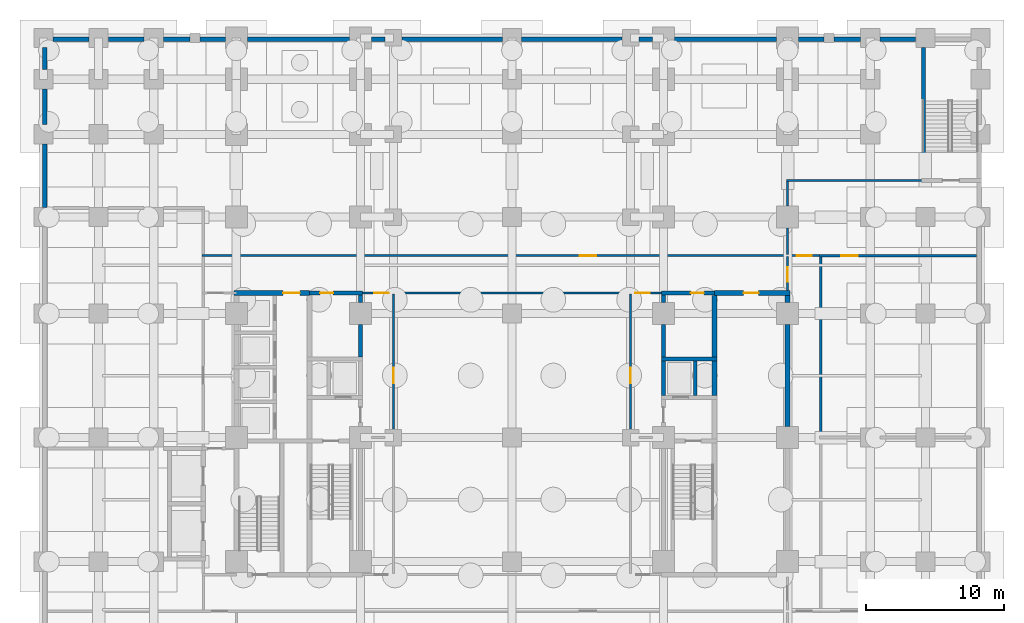
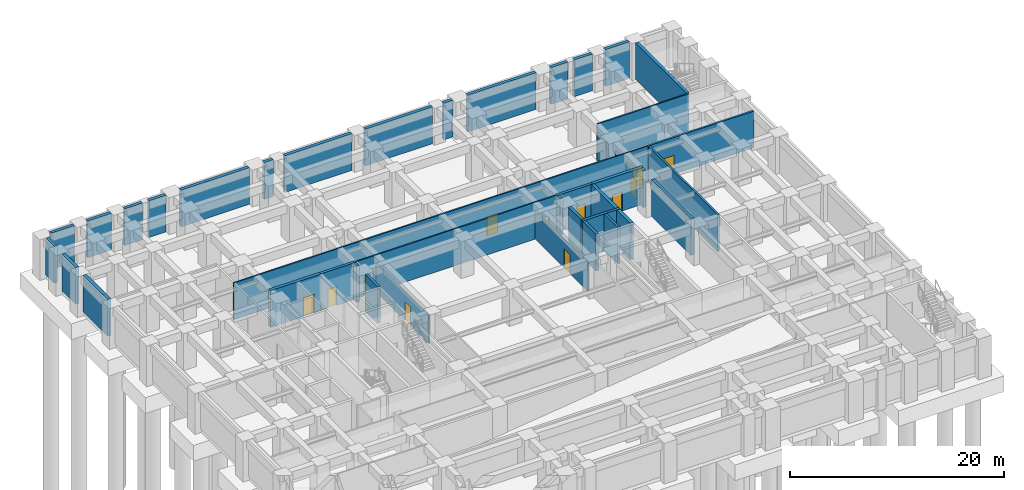
# One storey, part 8 of 16: 42 walls, 12 doors, 12 openings.
"""IFC4 building model written with IfcOpenShell, lengths in metres."""

import ifcopenshell
import ifcopenshell.guid

model = None  # the IFC model being written
_history = None  # IfcOwnerHistory: only IFC2X3 demands one
_inside = {}  # id of a spatial element -> (the spatial element, [elements in it])
_under = {}  # id of a project, library or spatial element -> (it, [spatial elements below it])
_declared = {}  # id of a project -> (the project, [libraries it declares])
_typed = {}  # id of a type object -> (the type object, [elements of that type])
_made_of = {}  # id of a material, layer set ... -> (it, [elements and type objects made of it])


def new_model(schema):
    """Start an empty IFC model of exactly this schema.

    Asked for "IFC4X3", IfcOpenShell would pick the latest addendum, in which some entities
    have other attributes; the version numbers below select the first issue.
    IFC2X3 requires an IfcOwnerHistory on every rooted entity: one is made here for all.
    """
    global model, _history
    if schema == "IFC4X3":
        model = ifcopenshell.file(schema_version=(4, 3, 0, 0))
    else:
        model = ifcopenshell.file(schema=schema)
    _inside.clear()
    _under.clear()
    _declared.clear()
    _typed.clear()
    _made_of.clear()
    _history = None
    if model.schema == "IFC2X3":
        org = make("IfcOrganization", Name="unknown")
        user = make(
            "IfcPersonAndOrganization",
            ThePerson=make("IfcPerson", FamilyName="unknown"),
            TheOrganization=org,
        )
        app = make(
            "IfcApplication",
            ApplicationDeveloper=org,
            Version="unknown",
            ApplicationFullName="unknown",
            ApplicationIdentifier="unknown",
        )
        _history = make(
            "IfcOwnerHistory",
            OwningUser=user,
            OwningApplication=app,
            ChangeAction="ADDED",
            CreationDate=0,
        )
    return model


def make(cls, **values):
    """One entity of the class cls with the attributes given. An attribute that is None is left unset."""
    return model.create_entity(
        cls, **{name: value for name, value in values.items() if value is not None}
    )


def rooted(cls, **values):
    """An entity with a GlobalId (a new one), such as an element, a storey or a relation."""
    return make(cls, GlobalId=ifcopenshell.guid.new(), OwnerHistory=_history, **values)


def si_unit(unit_type, name, prefix=None):
    """IfcSIUnit, for example si_unit("LENGTHUNIT", "METRE", prefix="MILLI")."""
    return make("IfcSIUnit", UnitType=unit_type, Prefix=prefix, Name=name)


def assignment(units):
    """IfcUnitAssignment: the units of a project."""
    return None if units is None else make("IfcUnitAssignment", Units=units)


def point(xyz):
    """IfcCartesianPoint."""
    return None if xyz is None else make("IfcCartesianPoint", Coordinates=xyz)


def direction(xyz):
    """IfcDirection."""
    return None if xyz is None else make("IfcDirection", DirectionRatios=xyz)


def frame(location, z_axis=None, x_axis=None):
    """IfcAxis2Placement3D, a coordinate frame: its origin and axes. An axis left out is left unset."""
    return make(
        "IfcAxis2Placement3D",
        Location=point(location),
        Axis=direction(z_axis),
        RefDirection=direction(x_axis),
    )


def frame_2d(location, x_axis=None):
    """IfcAxis2Placement2D, a coordinate frame in the plane: its origin and x axis."""
    return make(
        "IfcAxis2Placement2D", Location=point(location), RefDirection=direction(x_axis)
    )


def origin():
    """The frame at (0, 0, 0) with its axes left unset."""
    return frame((0.0, 0.0, 0.0))


def place(relative_to, where):
    """IfcLocalPlacement: puts the frame where relative to a parent placement (None: the world)."""
    return make(
        "IfcLocalPlacement", PlacementRelTo=relative_to, RelativePlacement=where
    )


def context(
    kind, dimensions, precision=None, world=None, true_north=None, identifier=None
):
    """IfcGeometricRepresentationContext, for example the 3D "Model" context."""
    return make(
        "IfcGeometricRepresentationContext",
        ContextIdentifier=identifier,
        ContextType=kind,
        CoordinateSpaceDimension=dimensions,
        Precision=precision,
        WorldCoordinateSystem=world,
        TrueNorth=true_north,
    )


def subcontext(parent, identifier, kind, view, scale=None):
    """IfcGeometricRepresentationSubContext, for example "Body" below "Model"."""
    return make(
        "IfcGeometricRepresentationSubContext",
        ContextIdentifier=identifier,
        ContextType=kind,
        ParentContext=parent,
        TargetScale=scale,
        TargetView=view,
    )


def project(units=None, contexts=None):
    """IfcProject with its units and contexts."""
    return rooted(
        "IfcProject",
        Name="project",
        RepresentationContexts=contexts,
        UnitsInContext=assignment(units),
    )


def spatial(cls, under=None, at=None, **own):
    """A site, building, storey or space (cls), placed at a placement, below another one or the project."""
    s = rooted(cls, ObjectPlacement=at, **own)
    if under is not None:
        _under.setdefault(under.id(), (under, []))[1].append(s)
    return s


def profile(cls, at=None, kind="AREA", **sizes):
    """A parametric profile (cls). Its sizes go by their IFC names, for example OverallWidth=200.0."""
    return make(cls, ProfileType=kind, Position=at, **sizes)


def rectangle(**sizes):
    """IfcRectangleProfileDef."""
    return profile("IfcRectangleProfileDef", **sizes)


def extrude(swept, where, along, depth):
    """IfcExtrudedAreaSolid: the profile swept, set in the frame where, extruded along a direction by depth."""
    return make(
        "IfcExtrudedAreaSolid",
        SweptArea=swept,
        Position=where,
        ExtrudedDirection=direction(along),
        Depth=depth,
    )


def shape(context_of_items, identifier, shape_type, items):
    """IfcShapeRepresentation: the items that make up one representation, for example the "Body"."""
    return make(
        "IfcShapeRepresentation",
        ContextOfItems=context_of_items,
        RepresentationIdentifier=identifier,
        RepresentationType=shape_type,
        Items=items,
    )


def material(Name=None, Category=None):
    """IfcMaterial."""
    return make("IfcMaterial", Name=Name, Category=Category)


def layer(
    of_material, thickness, ventilated=None, Name=None, Category=None, Priority=None
):
    """IfcMaterialLayer: one layer of a wall or slab, of a material (None: an air gap)."""
    return make(
        "IfcMaterialLayer",
        Material=of_material,
        LayerThickness=thickness,
        IsVentilated=ventilated,
        Name=Name,
        Category=Category,
        Priority=Priority,
    )


def layer_set(layers, Name=None):
    """IfcMaterialLayerSet."""
    return make("IfcMaterialLayerSet", MaterialLayers=layers, LayerSetName=Name)


def made_of(thing, what):
    """Note that an element or type object is made of a material, layer set ...; save() writes the relation."""
    if what is not None:
        _made_of.setdefault(what.id(), (what, []))[1].append(thing)
    return thing


def type_object(cls, material=None, **own):
    """A type object (cls), such as IfcWallType, which elements share."""
    return made_of(rooted(cls, **own), material)


def element(
    cls,
    number,
    at=None,
    inside=None,
    cuts=None,
    type_object=None,
    material=None,
    context=None,
    identifier="Body",
    shape_type=None,
    held_by="IfcProductDefinitionShape",
    body=None,
    shapes=None,
    **own,
):
    """One element of the class cls, such as IfcWall. Its Tag is "e" and its number.

    at: its placement. inside: the storey or other place that contains it. cuts: it is an
    opening in that element (IfcRelVoidsElement). A single representation is given by context,
    identifier, shape_type and body (its items); several are given by shapes. held_by: the class
    of the entity that holds the representations. save() writes the other relations.
    """
    e = rooted(cls, Tag="e%d" % number, ObjectPlacement=at, **own)
    if body is not None:
        shapes = [shape(context, identifier, shape_type, body)]
    if shapes is not None:
        e.Representation = make(held_by, Representations=shapes)
    if inside is not None:
        _inside.setdefault(inside.id(), (inside, []))[1].append(e)
    if cuts is not None:
        rooted(
            "IfcRelVoidsElement", RelatingBuildingElement=cuts, RelatedOpeningElement=e
        )
    if type_object is not None:
        _typed.setdefault(type_object.id(), (type_object, []))[1].append(e)
    return made_of(e, material)


def fill(opening, filler):
    """IfcRelFillsElement: the door or window that sits in an opening."""
    return rooted(
        "IfcRelFillsElement",
        RelatingOpeningElement=opening,
        RelatedBuildingElement=filler,
    )


def aggregate(whole, parts):
    """IfcRelAggregates: a whole, such as a stair, and the parts it consists of."""
    return rooted("IfcRelAggregates", RelatingObject=whole, RelatedObjects=parts)


def save(model, path):
    """Write the relations noted so far, then the file.

    IfcRelAggregates (storeys below a building ...), IfcRelContainedInSpatialStructure (elements
    in a storey), IfcRelDefinesByType, IfcRelAssociatesMaterial and IfcRelDeclares: one each for
    every whole, place, type object, material and project.
    """
    for whole, parts in _under.values():
        aggregate(whole, parts)
    for where, things in _inside.values():
        rooted(
            "IfcRelContainedInSpatialStructure",
            RelatedElements=things,
            RelatingStructure=where,
        )
    for kind, things in _typed.values():
        rooted("IfcRelDefinesByType", RelatedObjects=things, RelatingType=kind)
    for what, things in _made_of.values():
        rooted("IfcRelAssociatesMaterial", RelatedObjects=things, RelatingMaterial=what)
    for by, libraries in _declared.values():
        rooted("IfcRelDeclares", RelatingContext=by, RelatedDefinitions=libraries)
    model.write(path)


model = new_model("IFC4")

# Units and contexts
model_context = context("Model", 3, precision=1e-05, world=origin(), true_north=direction((0.0, 1.0)))
body_context = subcontext(model_context, "Body", "Model", "MODEL_VIEW")
ifc_project = project(units=[si_unit("LENGTHUNIT", "METRE"), si_unit("AREAUNIT", "SQUARE_METRE"), si_unit("VOLUMEUNIT", "CUBIC_METRE"), si_unit("PLANEANGLEUNIT", "RADIAN"), si_unit("MASSUNIT", "GRAM", prefix="KILO")], contexts=[model_context])

# Site, building, storey
site_placement = place(None, origin())
site = spatial("IfcSite", under=ifc_project, at=site_placement, CompositionType="ELEMENT")
building_placement = place(site_placement, origin())
building = spatial("IfcBuilding", under=site, at=building_placement, Name="Zulmaris Gate Convention Tower", CompositionType="ELEMENT")
storey_placement = place(building_placement, frame((0.0, 0.0, -9.10009765625)))
storey = spatial("IfcBuildingStorey", under=building, at=storey_placement, Name="B2", CompositionType="ELEMENT", Elevation=-9.10009765625)

# Walls
ifc_material_1 = material(Name="Concrete C50/60", Category="concrete")
ifc_layer_1 = layer(ifc_material_1, 0.25, Name="Concrete C50/60")
ifc_layer_set_1 = layer_set([ifc_layer_1], Name="Concrete C50/60")
wall_type_1 = type_object("IfcWallType", Name="CORE-250", PredefinedType="SOLIDWALL", material=ifc_layer_set_1)
wall_1_placement = place(storey_placement, frame((13.300048828125, 3.052001953125, 0.0), z_axis=(0.0, 0.0, 1.0), x_axis=(0.0, 1.0, 0.0)))
element("IfcWall", 1, at=wall_1_placement, inside=storey, type_object=wall_type_1, Name="WL-B2-077", PredefinedType="SOLIDWALL", context=body_context, shape_type="SweptSolid", body=[
    extrude(rectangle(XDim=2.49609375, YDim=0.25, at=frame_2d((1.248046875, 0.0))), origin(), (0.0, 0.0, 1.0), 4.2001953125),
])
ifc_layer_2 = layer(ifc_material_1, 0.300048828125, Name="Concrete C50/60")
ifc_layer_set_2 = layer_set([ifc_layer_2], Name="Concrete C50/60")
wall_type_2 = type_object("IfcWallType", Name="CORE-300", PredefinedType="SHEAR", material=ifc_layer_set_2)
wall_2_placement = place(storey_placement, frame((10.85009765625, 5.699951171875, 0.0), z_axis=(0.0, 0.0, 1.0), x_axis=(1.0, 0.0, 0.0)))
element("IfcWall", 2, at=wall_2_placement, inside=storey, type_object=wall_type_2, Name="WL-B2-020", PredefinedType="SHEAR", context=body_context, shape_type="SweptSolid", body=[
    extrude(rectangle(XDim=4.02490234375, YDim=0.300048828125, at=frame_2d((2.012451171875, 0.0))), origin(), (0.0, 0.0, 1.0), 4.2001953125),
])

# Wall, opening, door
wall_3_placement = place(storey_placement, frame((-14.699951171875, 10.5, 0.0), z_axis=(0.0, 0.0, 1.0), x_axis=(1.0, 0.0, 0.0)))
wall_3 = element("IfcWall", 3, at=wall_3_placement, inside=storey, type_object=wall_type_2, Name="WL-B2-023", PredefinedType="SHEAR", context=body_context, shape_type="SweptSolid", body=[
    extrude(rectangle(XDim=3.849853515625, YDim=0.300048828125, at=frame_2d((1.9248046875, 0.0))), origin(), (0.0, 0.0, 1.0), 4.2001953125),
])
opening_1_placement = place(wall_3_placement, frame((0.77490234375, 0.0, 0.0)))
opening_1 = element("IfcOpeningElement", 4, at=opening_1_placement, cuts=wall_3, Name="Opening D-11", PredefinedType="OPENING", context=body_context, shape_type="SweptSolid", body=[
    extrude(rectangle(XDim=0.949951171875, YDim=2.14990234375, at=frame_2d((0.47509765625, 1.074951171875))), frame((0.0, 0.16015625, 0.0), z_axis=(0.0, -1.0, 0.0), x_axis=(1.0, 0.0, 0.0)), (0.0, 0.0, 1.0), 0.320068359375),
])
ifc_material_2 = material(Name="Fire-Rated Timber", Category="wood")
door_type_1 = type_object("IfcDoorType", Name="DR-950-FD", OperationType="NOTDEFINED", PredefinedType="DOOR", material=ifc_material_2)
door_1_placement = place(opening_1_placement, origin())
door_1 = element("IfcDoor", 5, at=door_1_placement, inside=storey, type_object=door_type_1, Name="B2 Core Pantry Door 07", OperationType="SINGLE_SWING_LEFT", OverallHeight=2.14990234375, OverallWidth=0.949951171875, PredefinedType="DOOR", context=body_context, shape_type="SweptSolid", body=[
    extrude(rectangle(XDim=0.949951171875, YDim=2.14990234375, at=frame_2d((0.47509765625, 1.074951171875))), frame((0.0, 0.02490234375, 0.0), z_axis=(0.0, -1.0, 0.0), x_axis=(1.0, 0.0, 0.0)), (0.0, 0.0, 1.0), 0.050048828125),
])
fill(opening_1, door_1)

wall_4_placement = place(storey_placement, frame((10.85009765625, 10.5, 0.0), z_axis=(0.0, 0.0, 1.0), x_axis=(1.0, 0.0, 0.0)))
wall_4 = element("IfcWall", 6, at=wall_4_placement, inside=storey, type_object=wall_type_2, Name="WL-B2-024", PredefinedType="SHEAR", context=body_context, shape_type="SweptSolid", body=[
    extrude(rectangle(XDim=3.849853515625, YDim=0.300048828125, at=frame_2d((1.9248046875, 0.0))), origin(), (0.0, 0.0, 1.0), 4.2001953125),
])
opening_2_placement = place(wall_4_placement, frame((2.125, 0.0, 0.0)))
opening_2 = element("IfcOpeningElement", 7, at=opening_2_placement, cuts=wall_4, Name="Opening D-11", PredefinedType="OPENING", context=body_context, shape_type="SweptSolid", body=[
    extrude(rectangle(XDim=0.949951171875, YDim=2.14990234375, at=frame_2d((0.47509765625, 1.074951171875))), frame((0.0, 0.16015625, 0.0), z_axis=(0.0, -1.0, 0.0), x_axis=(1.0, 0.0, 0.0)), (0.0, 0.0, 1.0), 0.320068359375),
])
door_2_placement = place(opening_2_placement, origin())
door_2 = element("IfcDoor", 8, at=door_2_placement, inside=storey, type_object=door_type_1, Name="B2 Core Cleaners Store Door 08", OperationType="SINGLE_SWING_RIGHT", OverallHeight=2.14990234375, OverallWidth=0.949951171875, PredefinedType="DOOR", context=body_context, shape_type="SweptSolid", body=[
    extrude(rectangle(XDim=0.949951171875, YDim=2.14990234375, at=frame_2d((0.47509765625, 1.074951171875))), frame((0.0, 0.02490234375, 0.0), z_axis=(0.0, -1.0, 0.0), x_axis=(1.0, 0.0, 0.0)), (0.0, 0.0, 1.0), 0.050048828125),
])
fill(opening_2, door_2)

# Walls
wall_5_placement = place(storey_placement, frame((-11.0, 5.85205078125, 0.0), z_axis=(0.0, 0.0, 1.0), x_axis=(0.0, 1.0, 0.0)))
element("IfcWall", 9, at=wall_5_placement, inside=storey, type_object=wall_type_2, Name="WL-B2-071", PredefinedType="SHEAR", context=body_context, shape_type="SweptSolid", body=[
    extrude(rectangle(XDim=2.343994140625, YDim=0.300048828125, at=frame_2d((1.171875, 0.0))), origin(), (0.0, 0.0, 1.0), 4.2001953125),
])
wall_6_placement = place(storey_placement, frame((-11.0, 9.803955078125, 0.0), z_axis=(0.0, 0.0, 1.0), x_axis=(0.0, 1.0, 0.0)))
element("IfcWall", 10, at=wall_6_placement, inside=storey, type_object=wall_type_2, Name="WL-B2-071S1", PredefinedType="SHEAR", context=body_context, shape_type="SweptSolid", body=[
    extrude(rectangle(XDim=0.5439453125, YDim=0.300048828125, at=frame_2d((0.27197265625, 0.0))), origin(), (0.0, 0.0, 1.0), 4.2001953125),
])
wall_7_placement = place(storey_placement, frame((11.0, 3.052001953125, 0.0), z_axis=(0.0, 0.0, 1.0), x_axis=(0.0, 1.0, 0.0)))
element("IfcWall", 11, at=wall_7_placement, inside=storey, type_object=wall_type_2, Name="WL-B2-074", PredefinedType="SHEAR", context=body_context, shape_type="SweptSolid", body=[
    extrude(rectangle(XDim=2.49609375, YDim=0.300048828125, at=frame_2d((1.248046875, 0.0))), origin(), (0.0, 0.0, 1.0), 4.2001953125),
])
wall_8_placement = place(storey_placement, frame((11.0, 5.85205078125, 0.0), z_axis=(0.0, 0.0, 1.0), x_axis=(0.0, 1.0, 0.0)))
element("IfcWall", 12, at=wall_8_placement, inside=storey, type_object=wall_type_2, Name="WL-B2-075", PredefinedType="SHEAR", context=body_context, shape_type="SweptSolid", body=[
    extrude(rectangle(XDim=2.343994140625, YDim=0.300048828125, at=frame_2d((1.171875, 0.0))), origin(), (0.0, 0.0, 1.0), 4.2001953125),
])
wall_9_placement = place(storey_placement, frame((11.0, 9.803955078125, 0.0), z_axis=(0.0, 0.0, 1.0), x_axis=(0.0, 1.0, 0.0)))
element("IfcWall", 13, at=wall_9_placement, inside=storey, type_object=wall_type_2, Name="WL-B2-075S1", PredefinedType="SHEAR", context=body_context, shape_type="SweptSolid", body=[
    extrude(rectangle(XDim=0.5439453125, YDim=0.300048828125, at=frame_2d((0.27197265625, 0.0))), origin(), (0.0, 0.0, 1.0), 4.2001953125),
])
wall_10_placement = place(storey_placement, frame((29.85009765625, 18.802001953125, 0.0), z_axis=(0.0, 0.0, 1.0), x_axis=(0.0, 1.0, 0.0)))
element("IfcWall", 14, at=wall_10_placement, inside=storey, type_object=wall_type_2, Name="WL-B2-084", PredefinedType="SHEAR", context=body_context, shape_type="SweptSolid", body=[
    extrude(rectangle(XDim=9.493896484375, YDim=0.300048828125, at=frame_2d((4.7470703125, 0.0))), origin(), (0.0, 0.0, 1.0), 4.2001953125),
])

# Wall, opening, door
ifc_material_3 = material(Name="Concrete C55/67", Category="concrete")
ifc_layer_3 = layer(ifc_material_3, 0.35009765625, Name="Concrete C55/67")
ifc_layer_set_3 = layer_set([ifc_layer_3], Name="Concrete C55/67")
wall_type_3 = type_object("IfcWallType", Name="CORE-350", PredefinedType="SHEAR", material=ifc_layer_set_3)
wall_11_placement = place(storey_placement, frame((-20.175048828125, 10.5, 0.0), z_axis=(0.0, 0.0, 1.0), x_axis=(1.0, 0.0, 0.0)))
wall_11 = element("IfcWall", 15, at=wall_11_placement, inside=storey, type_object=wall_type_3, Name="WL-B2-022", PredefinedType="SHEAR", context=body_context, shape_type="SweptSolid", body=[
    extrude(rectangle(XDim=5.47509765625, YDim=0.35009765625, at=frame_2d((2.737548828125, 0.0))), origin(), (0.0, 0.0, 1.0), 4.2001953125),
])
opening_3_placement = place(wall_11_placement, frame((3.574951171875, 0.0, 0.0)))
opening_3 = element("IfcOpeningElement", 16, at=opening_3_placement, cuts=wall_11, Name="Opening D-13", PredefinedType="OPENING", context=body_context, shape_type="SweptSolid", body=[
    extrude(rectangle(XDim=1.199951171875, YDim=2.14990234375, at=frame_2d((0.60009765625, 1.074951171875))), frame((0.0, 0.18505859375, 0.0), z_axis=(0.0, -1.0, 0.0), x_axis=(1.0, 0.0, 0.0)), (0.0, 0.0, 1.0), 0.3701171875),
])
ifc_material_4 = material(Name="Fire-Rated Steel", Category="steel")
door_type_2 = type_object("IfcDoorType", Name="DR-1200-FD", OperationType="NOTDEFINED", PredefinedType="DOOR", material=ifc_material_4)
door_3_placement = place(opening_3_placement, origin())
door_3 = element("IfcDoor", 17, at=door_3_placement, inside=storey, type_object=door_type_2, Name="B2 Low-Rise Lift Lobby Door 10", OperationType="SINGLE_SWING_RIGHT", OverallHeight=2.14990234375, OverallWidth=1.199951171875, PredefinedType="DOOR", context=body_context, shape_type="SweptSolid", body=[
    extrude(rectangle(XDim=1.199951171875, YDim=2.14990234375, at=frame_2d((0.60009765625, 1.074951171875))), frame((0.0, 0.02490234375, 0.0), z_axis=(0.0, -1.0, 0.0), x_axis=(1.0, 0.0, 0.0)), (0.0, 0.0, 1.0), 0.050048828125),
])
fill(opening_3, door_3)

wall_12_placement = place(storey_placement, frame((14.699951171875, 10.5, 0.0), z_axis=(0.0, 0.0, 1.0), x_axis=(1.0, 0.0, 0.0)))
wall_12 = element("IfcWall", 18, at=wall_12_placement, inside=storey, type_object=wall_type_3, Name="WL-B2-025", PredefinedType="SHEAR", context=body_context, shape_type="SweptSolid", body=[
    extrude(rectangle(XDim=5.47509765625, YDim=0.35009765625, at=frame_2d((2.737548828125, 0.0))), origin(), (0.0, 0.0, 1.0), 4.2001953125),
])
opening_4_placement = place(wall_12_placement, frame((2.10009765625, 0.0, 0.0)))
opening_4 = element("IfcOpeningElement", 19, at=opening_4_placement, cuts=wall_12, Name="Opening D-08", PredefinedType="OPENING", context=body_context, shape_type="SweptSolid", body=[
    extrude(rectangle(XDim=1.10009765625, YDim=2.14990234375, at=frame_2d((0.550048828125, 1.074951171875))), frame((0.0, 0.18505859375, 0.0), z_axis=(0.0, -1.0, 0.0), x_axis=(1.0, 0.0, 0.0)), (0.0, 0.0, 1.0), 0.3701171875),
])
door_type_3 = type_object("IfcDoorType", Name="DR-1100-FD", OperationType="NOTDEFINED", PredefinedType="DOOR", material=ifc_material_4)
door_4_placement = place(opening_4_placement, origin())
door_4 = element("IfcDoor", 20, at=door_4_placement, inside=storey, type_object=door_type_3, Name="B2 East Plant Door 15", OperationType="SINGLE_SWING_LEFT", OverallHeight=2.14990234375, OverallWidth=1.10009765625, PredefinedType="DOOR", context=body_context, shape_type="SweptSolid", body=[
    extrude(rectangle(XDim=1.10009765625, YDim=2.14990234375, at=frame_2d((0.550048828125, 1.074951171875))), frame((0.0, 0.02490234375, 0.0), z_axis=(0.0, -1.0, 0.0), x_axis=(1.0, 0.0, 0.0)), (0.0, 0.0, 1.0), 0.050048828125),
])
fill(opening_4, door_4)

# Walls
for number, where, z_axis, x_axis, name in (
    (21, (-33.2958984375, 28.89990234375, 0.0), (0.0, 0.0, 1.0), (1.0, 0.0, 0.0), "WL-B2-027"),
    (22, (-29.2958984375, 28.89990234375, 0.0), (0.0, 0.0, 1.0), (1.0, 0.0, 0.0), "WL-B2-027S1"),
):
    element("IfcWall", number, at=place(storey_placement, frame(where, z_axis=z_axis, x_axis=x_axis)), inside=storey, type_object=wall_type_3, Name=name, PredefinedType="SHEAR", context=body_context, shape_type="SweptSolid", body=[
        extrude(rectangle(XDim=2.591796875, YDim=0.35009765625, at=frame_2d((1.2958984375, 0.0))), origin(), (0.0, 0.0, 1.0), 4.2001953125),
    ])
wall_13_placement = place(storey_placement, frame((-25.2958984375, 28.89990234375, 0.0), z_axis=(0.0, 0.0, 1.0), x_axis=(1.0, 0.0, 0.0)))
element("IfcWall", 23, at=wall_13_placement, inside=storey, type_object=wall_type_3, Name="WL-B2-027S2", PredefinedType="SHEAR", context=body_context, shape_type="SweptSolid", body=[
    extrude(rectangle(XDim=1.94189453125, YDim=0.35009765625, at=frame_2d((0.970947265625, 0.0))), origin(), (0.0, 0.0, 1.0), 4.2001953125),
])
wall_14_placement = place(storey_placement, frame((-22.64599609375, 28.89990234375, 0.0), z_axis=(0.0, 0.0, 1.0), x_axis=(1.0, 0.0, 0.0)))
element("IfcWall", 24, at=wall_14_placement, inside=storey, type_object=wall_type_3, Name="WL-B2-027S3", PredefinedType="SHEAR", context=body_context, shape_type="SweptSolid", body=[
    extrude(rectangle(XDim=1.842041015625, YDim=0.35009765625, at=frame_2d((0.9208984375, 0.0))), origin(), (0.0, 0.0, 1.0), 4.2001953125),
])
wall_15_placement = place(storey_placement, frame((-19.196044921875, 28.89990234375, 0.0), z_axis=(0.0, 0.0, 1.0), x_axis=(1.0, 0.0, 0.0)))
element("IfcWall", 25, at=wall_15_placement, inside=storey, type_object=wall_type_3, Name="WL-B2-027S4", PredefinedType="SHEAR", context=body_context, shape_type="SweptSolid", body=[
    extrude(rectangle(XDim=7.39208984375, YDim=0.35009765625, at=frame_2d((3.696044921875, 0.0))), origin(), (0.0, 0.0, 1.0), 4.2001953125),
])
wall_16_placement = place(storey_placement, frame((-10.196044921875, 28.89990234375, 0.0), z_axis=(0.0, 0.0, 1.0), x_axis=(1.0, 0.0, 0.0)))
element("IfcWall", 26, at=wall_16_placement, inside=storey, type_object=wall_type_3, Name="WL-B2-027S5", PredefinedType="SHEAR", context=body_context, shape_type="SweptSolid", body=[
    extrude(rectangle(XDim=0.991943359375, YDim=0.35009765625, at=frame_2d((0.49609375, 0.0))), origin(), (0.0, 0.0, 1.0), 4.2001953125),
])
for number, where, z_axis, x_axis, name in (
    (27, (-7.99609375, 28.89990234375, 0.0), (0.0, 0.0, 1.0), (1.0, 0.0, 0.0), "WL-B2-027S6"),
    (28, (0.7041015625, 28.89990234375, 0.0), (0.0, 0.0, 1.0), (1.0, 0.0, 0.0), "WL-B2-027S7"),
):
    element("IfcWall", number, at=place(storey_placement, frame(where, z_axis=z_axis, x_axis=x_axis)), inside=storey, type_object=wall_type_3, Name=name, PredefinedType="SHEAR", context=body_context, shape_type="SweptSolid", body=[
        extrude(rectangle(XDim=7.2919921875, YDim=0.35009765625, at=frame_2d((3.64599609375, 0.0))), origin(), (0.0, 0.0, 1.0), 4.2001953125),
    ])
wall_17_placement = place(storey_placement, frame((9.2041015625, 28.89990234375, 0.0), z_axis=(0.0, 0.0, 1.0), x_axis=(1.0, 0.0, 0.0)))
element("IfcWall", 29, at=wall_17_placement, inside=storey, type_object=wall_type_3, Name="WL-B2-027S8", PredefinedType="SHEAR", context=body_context, shape_type="SweptSolid", body=[
    extrude(rectangle(XDim=0.991943359375, YDim=0.35009765625, at=frame_2d((0.49609375, 0.0))), origin(), (0.0, 0.0, 1.0), 4.2001953125),
])
wall_18_placement = place(storey_placement, frame((11.803955078125, 28.89990234375, 0.0), z_axis=(0.0, 0.0, 1.0), x_axis=(1.0, 0.0, 0.0)))
element("IfcWall", 30, at=wall_18_placement, inside=storey, type_object=wall_type_3, Name="WL-B2-027S9", PredefinedType="SHEAR", context=body_context, shape_type="SweptSolid", body=[
    extrude(rectangle(XDim=7.39208984375, YDim=0.35009765625, at=frame_2d((3.696044921875, 0.0))), origin(), (0.0, 0.0, 1.0), 4.2001953125),
])
wall_19_placement = place(storey_placement, frame((20.803955078125, 28.89990234375, 0.0), z_axis=(0.0, 0.0, 1.0), x_axis=(1.0, 0.0, 0.0)))
element("IfcWall", 31, at=wall_19_placement, inside=storey, type_object=wall_type_3, Name="WL-B2-027S10", PredefinedType="SHEAR", context=body_context, shape_type="SweptSolid", body=[
    extrude(rectangle(XDim=1.842041015625, YDim=0.35009765625, at=frame_2d((0.9208984375, 0.0))), origin(), (0.0, 0.0, 1.0), 4.2001953125),
])
wall_20_placement = place(storey_placement, frame((23.35400390625, 28.89990234375, 0.0), z_axis=(0.0, 0.0, 1.0), x_axis=(1.0, 0.0, 0.0)))
element("IfcWall", 32, at=wall_20_placement, inside=storey, type_object=wall_type_3, Name="WL-B2-027S11", PredefinedType="SHEAR", context=body_context, shape_type="SweptSolid", body=[
    extrude(rectangle(XDim=1.94189453125, YDim=0.35009765625, at=frame_2d((0.970947265625, 0.0))), origin(), (0.0, 0.0, 1.0), 4.2001953125),
])
wall_21_placement = place(storey_placement, frame((26.7041015625, 28.89990234375, 0.0), z_axis=(0.0, 0.0, 1.0), x_axis=(1.0, 0.0, 0.0)))
element("IfcWall", 33, at=wall_21_placement, inside=storey, type_object=wall_type_3, Name="WL-B2-027S12", PredefinedType="SHEAR", context=body_context, shape_type="SweptSolid", body=[
    extrude(rectangle(XDim=2.591796875, YDim=0.35009765625, at=frame_2d((1.2958984375, 0.0))), origin(), (0.0, 0.0, 1.0), 4.2001953125),
])
wall_22_placement = place(storey_placement, frame((-33.89990234375, 16.7041015625, 0.0), z_axis=(0.0, 0.0, 1.0), x_axis=(0.0, 1.0, 0.0)))
element("IfcWall", 34, at=wall_22_placement, inside=storey, type_object=wall_type_3, Name="WL-B2-046S5", PredefinedType="SHEAR", context=body_context, shape_type="SweptSolid", body=[
    extrude(rectangle(XDim=4.591796875, YDim=0.35009765625, at=frame_2d((2.2958984375, 0.0))), origin(), (0.0, 0.0, 1.0), 4.2001953125),
])
wall_23_placement = place(storey_placement, frame((-33.89990234375, 22.7041015625, 0.0), z_axis=(0.0, 0.0, 1.0), x_axis=(0.0, 1.0, 0.0)))
element("IfcWall", 35, at=wall_23_placement, inside=storey, type_object=wall_type_3, Name="WL-B2-046S6", PredefinedType="SHEAR", context=body_context, shape_type="SweptSolid", body=[
    extrude(rectangle(XDim=2.591796875, YDim=0.35009765625, at=frame_2d((1.2958984375, 0.0))), origin(), (0.0, 0.0, 1.0), 4.2001953125),
])
wall_24_placement = place(storey_placement, frame((-33.89990234375, 26.7041015625, 0.0), z_axis=(0.0, 0.0, 1.0), x_axis=(0.0, 1.0, 0.0)))
element("IfcWall", 36, at=wall_24_placement, inside=storey, type_object=wall_type_3, Name="WL-B2-046S7", PredefinedType="SHEAR", context=body_context, shape_type="SweptSolid", body=[
    extrude(rectangle(XDim=1.591796875, YDim=0.35009765625, at=frame_2d((0.7958984375, 0.0))), origin(), (0.0, 0.0, 1.0), 4.2001953125),
])
wall_25_placement = place(storey_placement, frame((14.699951171875, 3.052001953125, 0.0), z_axis=(0.0, 0.0, 1.0), x_axis=(0.0, 1.0, 0.0)))
element("IfcWall", 37, at=wall_25_placement, inside=storey, type_object=wall_type_3, Name="WL-B2-080", PredefinedType="SHEAR", context=body_context, shape_type="SweptSolid", body=[
    extrude(rectangle(XDim=2.49609375, YDim=0.35009765625, at=frame_2d((1.248046875, 0.0))), origin(), (0.0, 0.0, 1.0), 4.2001953125),
])
wall_26_placement = place(storey_placement, frame((14.699951171875, 5.85205078125, 0.0), z_axis=(0.0, 0.0, 1.0), x_axis=(0.0, 1.0, 0.0)))
element("IfcWall", 38, at=wall_26_placement, inside=storey, type_object=wall_type_3, Name="WL-B2-081", PredefinedType="SHEAR", context=body_context, shape_type="SweptSolid", body=[
    extrude(rectangle(XDim=4.470947265625, YDim=0.35009765625, at=frame_2d((2.2353515625, 0.0))), origin(), (0.0, 0.0, 1.0), 4.2001953125),
])
wall_27_placement = place(storey_placement, frame((20.0, 0.803955078125, 0.0), z_axis=(0.0, 0.0, 1.0), x_axis=(0.0, 1.0, 0.0)))
element("IfcWall", 39, at=wall_27_placement, inside=storey, type_object=wall_type_3, Name="WL-B2-082S1", PredefinedType="SHEAR", context=body_context, shape_type="SweptSolid", body=[
    extrude(rectangle(XDim=7.39208984375, YDim=0.35009765625, at=frame_2d((3.696044921875, 0.0))), origin(), (0.0, 0.0, 1.0), 4.2001953125),
])
wall_28_placement = place(storey_placement, frame((20.0, 9.803955078125, 0.0), z_axis=(0.0, 0.0, 1.0), x_axis=(0.0, 1.0, 0.0)))
element("IfcWall", 40, at=wall_28_placement, inside=storey, type_object=wall_type_3, Name="WL-B2-082S2", PredefinedType="SHEAR", context=body_context, shape_type="SweptSolid", body=[
    extrude(rectangle(XDim=0.51904296875, YDim=0.35009765625, at=frame_2d((0.259521484375, 0.0))), origin(), (0.0, 0.0, 1.0), 4.2001953125),
])

# Wall, openings, doors
ifc_material_5 = material(Name="Gypsum Metal Stud Partition")
ifc_layer_4 = layer(ifc_material_5, 0.14990234375, Name="Gypsum Metal Stud Partition")
ifc_layer_set_4 = layer_set([ifc_layer_4], Name="Gypsum Metal Stud Partition")
wall_type_4 = type_object("IfcWallType", Name="PART-150", PredefinedType="PARTITIONING", material=ifc_layer_set_4)
wall_29_placement = place(storey_placement, frame((-11.0, 10.5, 0.0), z_axis=(0.0, 0.0, 1.0), x_axis=(1.0, 0.0, 0.0)))
wall_29 = element("IfcWall", 41, at=wall_29_placement, inside=storey, type_object=wall_type_4, Name="WL-B2-040", PredefinedType="PARTITIONING", context=body_context, shape_type="SweptSolid", body=[
    extrude(rectangle(XDim=22.0, YDim=0.14990234375, at=frame_2d((11.0, 0.0))), origin(), (0.0, 0.0, 1.0), 4.2001953125),
])
opening_5_placement = place(wall_29_placement, frame((0.9951171875, 0.0, 0.0)))
opening_5 = element("IfcOpeningElement", 42, at=opening_5_placement, cuts=wall_29, Name="Opening D-09", PredefinedType="OPENING", context=body_context, shape_type="SweptSolid", body=[
    extrude(rectangle(XDim=1.050048828125, YDim=2.14990234375, at=frame_2d((0.52490234375, 1.074951171875))), frame((0.0, 0.0849609375, 0.0), z_axis=(0.0, -1.0, 0.0), x_axis=(1.0, 0.0, 0.0)), (0.0, 0.0, 1.0), 0.169921875),
])
opening_6_placement = place(wall_29_placement, frame((19.955078125, 0.0, 0.0)))
opening_6 = element("IfcOpeningElement", 43, at=opening_6_placement, cuts=wall_29, Name="Opening D-09", PredefinedType="OPENING", context=body_context, shape_type="SweptSolid", body=[
    extrude(rectangle(XDim=1.050048828125, YDim=2.14990234375, at=frame_2d((0.52490234375, 1.074951171875))), frame((0.0, 0.0849609375, 0.0), z_axis=(0.0, -1.0, 0.0), x_axis=(1.0, 0.0, 0.0)), (0.0, 0.0, 1.0), 0.169921875),
])
door_type_4 = type_object("IfcDoorType", Name="DR-1050-FD", OperationType="NOTDEFINED", PredefinedType="DOOR", material=ifc_material_4)
door_5_placement = place(opening_5_placement, origin())
door_5 = element("IfcDoor", 44, at=door_5_placement, inside=storey, type_object=door_type_4, Name="B2 Inner West North Link Door 22", OperationType="SINGLE_SWING_RIGHT", OverallHeight=2.14990234375, OverallWidth=1.050048828125, PredefinedType="DOOR", context=body_context, shape_type="SweptSolid", body=[
    extrude(rectangle(XDim=1.050048828125, YDim=2.14990234375, at=frame_2d((0.52490234375, 1.074951171875))), frame((0.0, 0.02490234375, 0.0), z_axis=(0.0, -1.0, 0.0), x_axis=(1.0, 0.0, 0.0)), (0.0, 0.0, 1.0), 0.050048828125),
])
fill(opening_5, door_5)
door_6_placement = place(opening_6_placement, origin())
door_6 = element("IfcDoor", 45, at=door_6_placement, inside=storey, type_object=door_type_4, Name="B2 Inner East North Link Door 24", OperationType="SINGLE_SWING_RIGHT", OverallHeight=2.14990234375, OverallWidth=1.050048828125, PredefinedType="DOOR", context=body_context, shape_type="SweptSolid", body=[
    extrude(rectangle(XDim=1.050048828125, YDim=2.14990234375, at=frame_2d((0.52490234375, 1.074951171875))), frame((0.0, 0.02490234375, 0.0), z_axis=(0.0, -1.0, 0.0), x_axis=(1.0, 0.0, 0.0)), (0.0, 0.0, 1.0), 0.050048828125),
])
fill(opening_6, door_6)

wall_30_placement = place(storey_placement, frame((-22.5, 13.199951171875, 0.0), z_axis=(0.0, 0.0, 1.0), x_axis=(1.0, 0.0, 0.0)))
wall_30 = element("IfcWall", 46, at=wall_30_placement, inside=storey, type_object=wall_type_4, Name="WL-B2-041", PredefinedType="PARTITIONING", context=body_context, shape_type="SweptSolid", body=[
    extrude(rectangle(XDim=45.0, YDim=0.14990234375, at=frame_2d((22.5, 0.0))), origin(), (0.0, 0.0, 1.0), 4.2001953125),
])
opening_7_placement = place(wall_30_placement, frame((43.14990234375, 0.0, 0.0)))
opening_7 = element("IfcOpeningElement", 47, at=opening_7_placement, cuts=wall_30, Name="Opening D-08", PredefinedType="OPENING", context=body_context, shape_type="SweptSolid", body=[
    extrude(rectangle(XDim=1.10009765625, YDim=2.14990234375, at=frame_2d((0.550048828125, 1.074951171875))), frame((0.0, 0.0849609375, 0.0), z_axis=(0.0, -1.0, 0.0), x_axis=(1.0, 0.0, 0.0)), (0.0, 0.0, 1.0), 0.169921875),
])
opening_8_placement = place(wall_30_placement, frame((27.39990234375, 0.0, 0.0)))
opening_8 = element("IfcOpeningElement", 48, at=opening_8_placement, cuts=wall_30, Name="Opening D-13", PredefinedType="OPENING", context=body_context, shape_type="SweptSolid", body=[
    extrude(rectangle(XDim=1.199951171875, YDim=2.14990234375, at=frame_2d((0.60009765625, 1.074951171875))), frame((0.0, 0.0849609375, 0.0), z_axis=(0.0, -1.0, 0.0), x_axis=(1.0, 0.0, 0.0)), (0.0, 0.0, 1.0), 0.169921875),
])
door_7_placement = place(opening_7_placement, origin())
door_7 = element("IfcDoor", 49, at=door_7_placement, inside=storey, type_object=door_type_3, Name="B2 NE Stair Corridor Link Door 30", OperationType="SINGLE_SWING_RIGHT", OverallHeight=2.14990234375, OverallWidth=1.10009765625, PredefinedType="DOOR", context=body_context, shape_type="SweptSolid", body=[
    extrude(rectangle(XDim=1.10009765625, YDim=2.14990234375, at=frame_2d((0.550048828125, 1.074951171875))), frame((0.0, 0.02490234375, 0.0), z_axis=(0.0, -1.0, 0.0), x_axis=(1.0, 0.0, 0.0)), (0.0, 0.0, 1.0), 0.050048828125),
])
fill(opening_7, door_7)
door_8_placement = place(opening_8_placement, origin())
door_8 = element("IfcDoor", 50, at=door_8_placement, inside=storey, type_object=door_type_2, Name="B2 Car Park North Corridor Door 34", OperationType="SINGLE_SWING_RIGHT", OverallHeight=2.14990234375, OverallWidth=1.199951171875, PredefinedType="DOOR", context=body_context, shape_type="SweptSolid", body=[
    extrude(rectangle(XDim=1.199951171875, YDim=2.14990234375, at=frame_2d((0.60009765625, 1.074951171875))), frame((0.0, 0.02490234375, 0.0), z_axis=(0.0, -1.0, 0.0), x_axis=(1.0, 0.0, 0.0)), (0.0, 0.0, 1.0), 0.050048828125),
])
fill(opening_8, door_8)

# Wall
wall_31_placement = place(storey_placement, frame((19.925048828125, 18.64990234375, 0.0), z_axis=(0.0, 0.0, 1.0), x_axis=(1.0, 0.0, 0.0)))
element("IfcWall", 51, at=wall_31_placement, inside=storey, type_object=wall_type_4, Name="WL-B2-044", PredefinedType="PARTITIONING", context=body_context, shape_type="SweptSolid", body=[
    extrude(rectangle(XDim=9.925048828125, YDim=0.14990234375, at=frame_2d((4.96240234375, 0.0))), origin(), (0.0, 0.0, 1.0), 4.2001953125),
])

# Wall, opening, door
wall_32_placement = place(storey_placement, frame((-8.60009765625, 0.60595703125, 0.0), z_axis=(0.0, 0.0, 1.0), x_axis=(0.0, 1.0, 0.0)))
wall_32 = element("IfcWall", 52, at=wall_32_placement, inside=storey, type_object=wall_type_4, Name="WL-B2-096", PredefinedType="PARTITIONING", context=body_context, shape_type="SweptSolid", body=[
    extrude(rectangle(XDim=9.816162109375, YDim=0.14990234375, at=frame_2d((4.908203125, 0.0))), origin(), (0.0, 0.0, 1.0), 3.2421875),
])
opening_9_placement = place(wall_32_placement, frame((3.343994140625, 0.0, 0.0)))
opening_9 = element("IfcOpeningElement", 53, at=opening_9_placement, cuts=wall_32, Name="Opening D-08", PredefinedType="OPENING", context=body_context, shape_type="SweptSolid", body=[
    extrude(rectangle(XDim=1.10009765625, YDim=2.14990234375, at=frame_2d((0.550048828125, 1.074951171875))), frame((0.0, 0.0849609375, 0.0), z_axis=(0.0, -1.0, 0.0), x_axis=(1.0, 0.0, 0.0)), (0.0, 0.0, 1.0), 0.169921875),
])
door_9_placement = place(opening_9_placement, origin())
door_9 = element("IfcDoor", 54, at=door_9_placement, inside=storey, type_object=door_type_3, Name="B2 Central Car Park West Door 32", OperationType="SINGLE_SWING_RIGHT", OverallHeight=2.14990234375, OverallWidth=1.10009765625, PredefinedType="DOOR", context=body_context, shape_type="SweptSolid", body=[
    extrude(rectangle(XDim=1.10009765625, YDim=2.14990234375, at=frame_2d((0.550048828125, 1.074951171875))), frame((0.0, 0.02490234375, 0.0), z_axis=(0.0, -1.0, 0.0), x_axis=(1.0, 0.0, 0.0)), (0.0, 0.0, 1.0), 0.050048828125),
])
fill(opening_9, door_9)

wall_33_placement = place(storey_placement, frame((8.60009765625, 0.60595703125, 0.0), z_axis=(0.0, 0.0, 1.0), x_axis=(0.0, 1.0, 0.0)))
wall_33 = element("IfcWall", 55, at=wall_33_placement, inside=storey, type_object=wall_type_4, Name="WL-B2-098", PredefinedType="PARTITIONING", context=body_context, shape_type="SweptSolid", body=[
    extrude(rectangle(XDim=9.816162109375, YDim=0.14990234375, at=frame_2d((4.908203125, 0.0))), origin(), (0.0, 0.0, 1.0), 3.2421875),
])
opening_10_placement = place(wall_33_placement, frame((3.343994140625, 0.0, 0.0)))
opening_10 = element("IfcOpeningElement", 56, at=opening_10_placement, cuts=wall_33, Name="Opening D-08", PredefinedType="OPENING", context=body_context, shape_type="SweptSolid", body=[
    extrude(rectangle(XDim=1.10009765625, YDim=2.14990234375, at=frame_2d((0.550048828125, 1.074951171875))), frame((0.0, 0.0849609375, 0.0), z_axis=(0.0, -1.0, 0.0), x_axis=(1.0, 0.0, 0.0)), (0.0, 0.0, 1.0), 0.169921875),
])
door_10_placement = place(opening_10_placement, origin())
door_10 = element("IfcDoor", 57, at=door_10_placement, inside=storey, type_object=door_type_3, Name="B2 Central Car Park East Door 33", OperationType="SINGLE_SWING_LEFT", OverallHeight=2.14990234375, OverallWidth=1.10009765625, PredefinedType="DOOR", context=body_context, shape_type="SweptSolid", body=[
    extrude(rectangle(XDim=1.10009765625, YDim=2.14990234375, at=frame_2d((0.550048828125, 1.074951171875))), frame((0.0, 0.02490234375, 0.0), z_axis=(0.0, -1.0, 0.0), x_axis=(1.0, 0.0, 0.0)), (0.0, 0.0, 1.0), 0.050048828125),
])
fill(opening_10, door_10)

wall_34_placement = place(storey_placement, frame((20.0, 10.677978515625, 0.0), z_axis=(0.0, 0.0, 1.0), x_axis=(0.0, 1.0, 0.0)))
wall_34 = element("IfcWall", 58, at=wall_34_placement, inside=storey, type_object=wall_type_4, Name="WL-B2-102", PredefinedType="PARTITIONING", context=body_context, shape_type="SweptSolid", body=[
    extrude(rectangle(XDim=2.444091796875, YDim=0.14990234375, at=frame_2d((1.22216796875, 0.0))), origin(), (0.0, 0.0, 1.0), 3.2421875),
])
opening_11_placement = place(wall_34_placement, frame((0.64697265625, 0.0, 0.0)))
opening_11 = element("IfcOpeningElement", 59, at=opening_11_placement, cuts=wall_34, Name="Opening D-09", PredefinedType="OPENING", context=body_context, shape_type="SweptSolid", body=[
    extrude(rectangle(XDim=1.050048828125, YDim=2.14990234375, at=frame_2d((0.52490234375, 1.074951171875))), frame((0.0, 0.0849609375, 0.0), z_axis=(0.0, -1.0, 0.0), x_axis=(1.0, 0.0, 0.0)), (0.0, 0.0, 1.0), 0.169921875),
])
door_11_placement = place(opening_11_placement, origin())
door_11 = element("IfcDoor", 60, at=door_11_placement, inside=storey, type_object=door_type_4, Name="B2 East Passage North Core Door 28", OperationType="SINGLE_SWING_RIGHT", OverallHeight=2.14990234375, OverallWidth=1.050048828125, PredefinedType="DOOR", context=body_context, shape_type="SweptSolid", body=[
    extrude(rectangle(XDim=1.050048828125, YDim=2.14990234375, at=frame_2d((0.52490234375, 1.074951171875))), frame((0.0, 0.02490234375, 0.0), z_axis=(0.0, -1.0, 0.0), x_axis=(1.0, 0.0, 0.0)), (0.0, 0.0, 1.0), 0.050048828125),
])
fill(opening_11, door_11)

# Walls
wall_35_placement = place(storey_placement, frame((20.0, 13.278076171875, 0.0), z_axis=(0.0, 0.0, 1.0), x_axis=(0.0, 1.0, 0.0)))
element("IfcWall", 61, at=wall_35_placement, inside=storey, type_object=wall_type_4, Name="WL-B2-103", PredefinedType="PARTITIONING", context=body_context, shape_type="SweptSolid", body=[
    extrude(rectangle(XDim=1.916015625, YDim=0.14990234375, at=frame_2d((0.9580078125, 0.0))), origin(), (0.0, 0.0, 1.0), 3.2421875),
])
wall_36_placement = place(storey_placement, frame((20.0, 16.805908203125, 0.0), z_axis=(0.0, 0.0, 1.0), x_axis=(0.0, 1.0, 0.0)))
element("IfcWall", 62, at=wall_36_placement, inside=storey, type_object=wall_type_4, Name="WL-B2-103S1", PredefinedType="PARTITIONING", context=body_context, shape_type="SweptSolid", body=[
    extrude(rectangle(XDim=1.76611328125, YDim=0.14990234375, at=frame_2d((0.883056640625, 0.0))), origin(), (0.0, 0.0, 1.0), 3.2421875),
])

# Wall, opening, door
ifc_material_6 = material(Name="Autoclaved Aerated Concrete Block and Plasterboard", Category="concrete")
ifc_layer_5 = layer(ifc_material_6, 0.199951171875, Name="Autoclaved Aerated Concrete Block and Plasterboard")
ifc_layer_set_5 = layer_set([ifc_layer_5], Name="Autoclaved Aerated Concrete Block and Plasterboard")
wall_type_5 = type_object("IfcWallType", Name="PART-200", PredefinedType="PARTITIONING", material=ifc_layer_set_5)
wall_37_placement = place(storey_placement, frame((22.300048828125, 13.199951171875, 0.0), z_axis=(0.0, 0.0, 1.0), x_axis=(1.0, 0.0, 0.0)))
wall_37 = element("IfcWall", 63, at=wall_37_placement, inside=storey, type_object=wall_type_5, Name="WL-B2-042", PredefinedType="PARTITIONING", context=body_context, shape_type="SweptSolid", body=[
    extrude(rectangle(XDim=11.421875, YDim=0.199951171875, at=frame_2d((5.7109375, 0.0))), origin(), (0.0, 0.0, 1.0), 4.2001953125),
])
opening_12_placement = place(wall_37_placement, frame((1.60009765625, 0.0, 0.0)))
opening_12 = element("IfcOpeningElement", 64, at=opening_12_placement, cuts=wall_37, Name="Opening D-13", PredefinedType="OPENING", context=body_context, shape_type="SweptSolid", body=[
    extrude(rectangle(XDim=1.199951171875, YDim=2.14990234375, at=frame_2d((0.60009765625, 1.074951171875))), frame((0.0, 0.10986328125, 0.0), z_axis=(0.0, -1.0, 0.0), x_axis=(1.0, 0.0, 0.0)), (0.0, 0.0, 1.0), 0.219970703125),
])
door_12_placement = place(opening_12_placement, origin())
door_12 = element("IfcDoor", 65, at=door_12_placement, inside=storey, type_object=door_type_2, Name="B2 Generator Switchroom Door 37", OperationType="SINGLE_SWING_LEFT", OverallHeight=2.14990234375, OverallWidth=1.199951171875, PredefinedType="DOOR", context=body_context, shape_type="SweptSolid", body=[
    extrude(rectangle(XDim=1.199951171875, YDim=2.14990234375, at=frame_2d((0.60009765625, 1.074951171875))), frame((0.0, 0.02490234375, 0.0), z_axis=(0.0, -1.0, 0.0), x_axis=(1.0, 0.0, 0.0)), (0.0, 0.0, 1.0), 0.050048828125),
])
fill(opening_12, door_12)

# Wall
wall_38_placement = place(storey_placement, frame((22.39990234375, 0.10302734375, 0.0), z_axis=(0.0, 0.0, 1.0), x_axis=(0.0, 1.0, 0.0)))
element("IfcWall", 66, at=wall_38_placement, inside=storey, type_object=wall_type_5, Name="WL-B2-105", PredefinedType="PARTITIONING", context=body_context, shape_type="SweptSolid", body=[
    extrude(rectangle(XDim=12.993896484375, YDim=0.199951171875, at=frame_2d((6.4970703125, 0.0))), origin(), (0.0, 0.0, 1.0), 4.2001953125),
])

save(model, "model.ifc")
